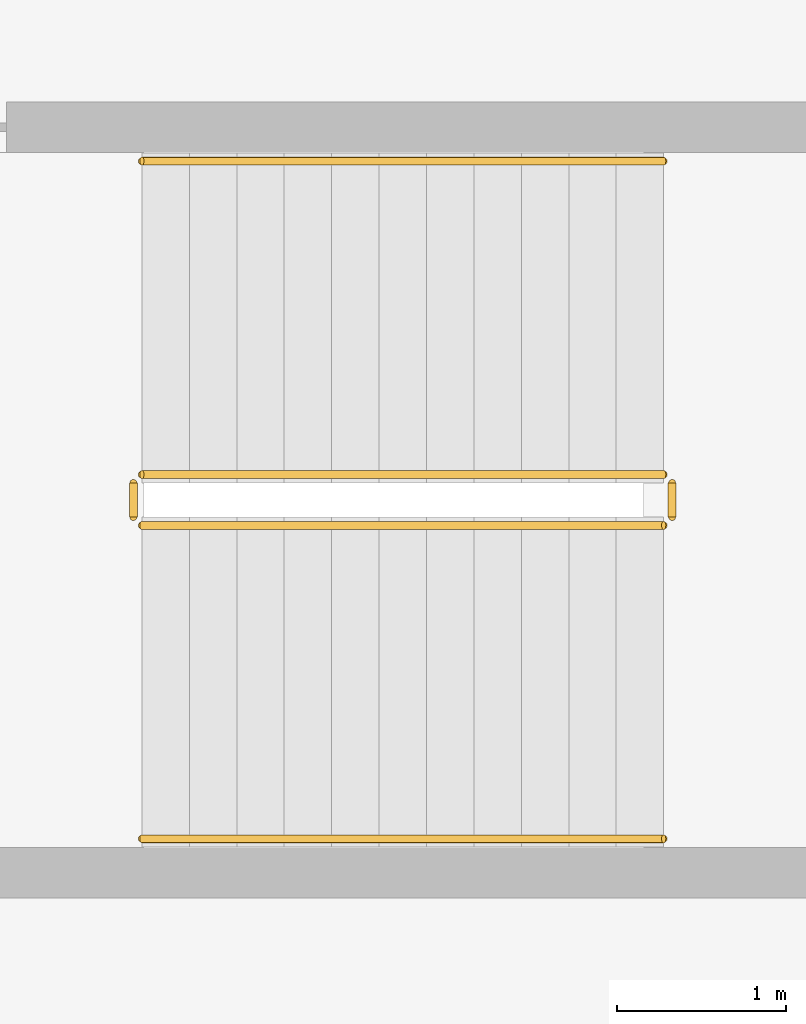
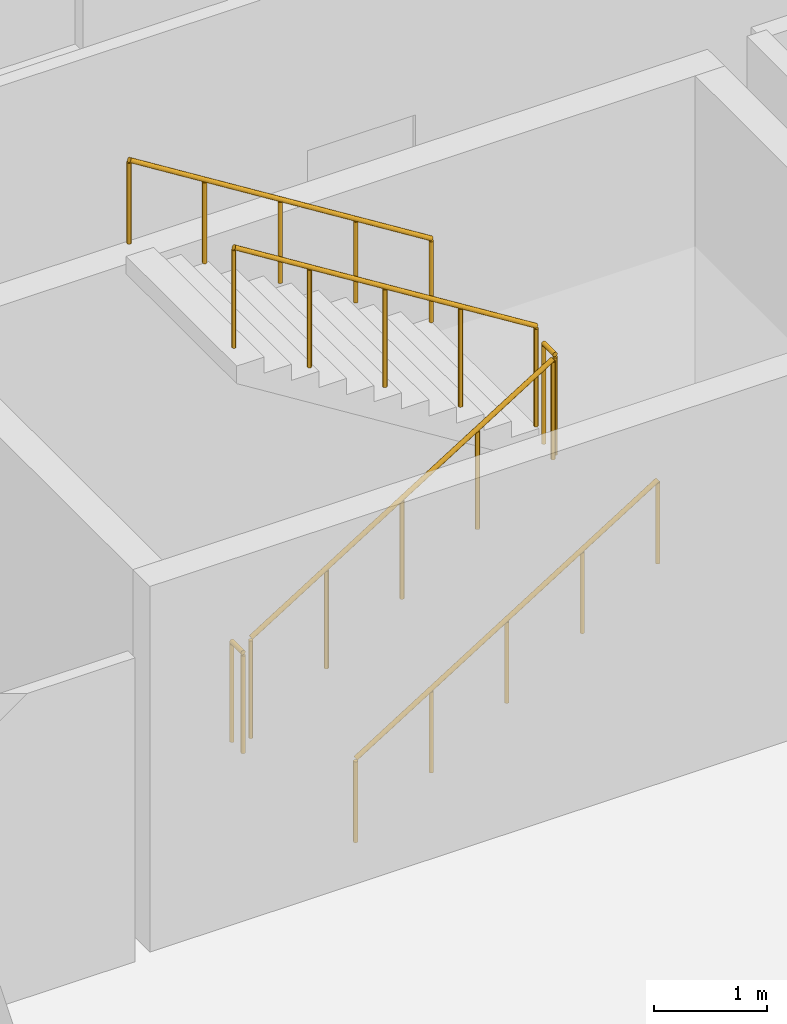
# One storey, part 179 of 182: 6 railings.
"""IFC4 building model written with IfcOpenShell, lengths in metres."""

from ifc_helpers import new_model, si_unit, direction, frame, origin, origin_2d, place, context, subcontext, project, spatial, circle, extrude, material, layer, layer_set, type_object, element, save


model = new_model("IFC4")

# Units and contexts
model_context = context("Model", 3, precision=1e-05, world=origin(), true_north=direction((0.0, 1.0)))
body_context = subcontext(model_context, "Body", "Model", "MODEL_VIEW")
ifc_project = project(units=[si_unit("LENGTHUNIT", "METRE"), si_unit("AREAUNIT", "SQUARE_METRE"), si_unit("VOLUMEUNIT", "CUBIC_METRE"), si_unit("PLANEANGLEUNIT", "RADIAN"), si_unit("MASSUNIT", "GRAM", prefix="KILO")], contexts=[model_context])

# Site, building, storey
site_placement = place(None, origin())
site = spatial("IfcSite", under=ifc_project, at=site_placement, CompositionType="ELEMENT")
building_placement = place(site_placement, origin())
building = spatial("IfcBuilding", under=site, at=building_placement, Name="Chiffa Square Polytechnic", CompositionType="ELEMENT")
storey_placement = place(building_placement, frame((0.0, 0.0, 9.60009765625)))
storey = spatial("IfcBuildingStorey", under=building, at=storey_placement, Name="L02", CompositionType="ELEMENT", Elevation=9.60009765625)

# Railings
ifc_material = material(Name="Steel S355", Category="steel")
ifc_layer_1 = layer(ifc_material, 0.050048828125, Name="Steel S355")
ifc_layer_set_1 = layer_set([ifc_layer_1], Name="Steel S355")
railing_type_1 = type_object("IfcRailingType", Name="RL-STAIR-GUARD", PredefinedType="GUARDRAIL", material=ifc_layer_set_1)
railing_1_placement = place(storey_placement, frame((124.199951171875, 19.64990234375, 0.1748046875)))
element("IfcRailing", 1, at=railing_1_placement, inside=storey, type_object=railing_type_1, Name="L02 ST-V1A stair guard 1", PredefinedType="GUARDRAIL", context=body_context, shape_type="SweptSolid", body=[
    extrude(circle(Radius=0.02392578125, at=origin_2d()), frame((0.0, 0.0, 1.076171875), z_axis=(0.847998304005, 0.0, 0.529998940003), x_axis=(0.0, 1.0, 0.0)), (0.0, 0.0, 1.0), 3.632080078125),
    extrude(circle(Radius=0.02099609375, at=origin_2d()), origin(), (0.0, 0.0, 1.0), 1.052001953125),
    extrude(circle(Radius=0.02099609375, at=origin_2d()), frame((0.77001953125, 0.0, 0.481201171875)), (0.0, 0.0, 1.0), 1.052001953125),
    extrude(circle(Radius=0.02099609375, at=origin_2d()), frame((1.5400390625, 0.0, 0.96240234375)), (0.0, 0.0, 1.0), 1.052001953125),
    extrude(circle(Radius=0.02099609375, at=origin_2d()), frame((2.31005859375, 0.0, 1.44384765625)), (0.0, 0.0, 1.0), 1.052001953125),
    extrude(circle(Radius=0.02099609375, at=origin_2d()), frame((3.080078125, 0.0, 1.925048828125)), (0.0, 0.0, 1.0), 1.052001953125),
])
railing_2_placement = place(storey_placement, frame((127.330078125, 19.699951171875, 2.099853515625)))
element("IfcRailing", 2, at=railing_2_placement, inside=storey, type_object=railing_type_1, Name="L02 ST-V1A stair guard 2", PredefinedType="GUARDRAIL", context=body_context, shape_type="SweptSolid", body=[
    extrude(circle(Radius=0.02392578125, at=origin_2d()), frame((0.0, 0.0, 1.076171875), z_axis=(0.0, 1.0, 0.0), x_axis=(-1.0, 0.0, 0.0)), (0.0, 0.0, 1.0), 0.199951171875),
    extrude(circle(Radius=0.02099609375, at=origin_2d()), origin(), (0.0, 0.0, 1.0), 1.052001953125),
    extrude(circle(Radius=0.02099609375, at=origin_2d()), frame((0.0, 0.199951171875, 0.0)), (0.0, 0.0, 1.0), 1.052001953125),
])
railing_3_placement = place(storey_placement, frame((127.280029296875, 19.949951171875, 2.27490234375)))
element("IfcRailing", 3, at=railing_3_placement, inside=storey, type_object=railing_type_1, Name="L02 ST-V1A stair guard 3", PredefinedType="GUARDRAIL", context=body_context, shape_type="SweptSolid", body=[
    extrude(circle(Radius=0.02392578125, at=origin_2d()), frame((0.0, 0.0, 1.076171875), z_axis=(-0.847998304005, 0.0, 0.529998940003), x_axis=(0.0, -1.0, 0.0)), (0.0, 0.0, 1.0), 3.632080078125),
    extrude(circle(Radius=0.02099609375, at=origin_2d()), origin(), (0.0, 0.0, 1.0), 1.052001953125),
    extrude(circle(Radius=0.02099609375, at=origin_2d()), frame((-0.77001953125, 0.0, 0.481201171875)), (0.0, 0.0, 1.0), 1.052001953125),
    extrude(circle(Radius=0.02099609375, at=origin_2d()), frame((-1.5400390625, 0.0, 0.96240234375)), (0.0, 0.0, 1.0), 1.052001953125),
    extrude(circle(Radius=0.02099609375, at=origin_2d()), frame((-2.31005859375, 0.0, 1.44384765625)), (0.0, 0.0, 1.0), 1.052001953125),
    extrude(circle(Radius=0.02099609375, at=origin_2d()), frame((-3.080078125, 0.0, 1.925048828125)), (0.0, 0.0, 1.0), 1.052001953125),
])
railing_4_placement = place(storey_placement, frame((124.14990234375, 19.699951171875, 0.0)))
element("IfcRailing", 4, at=railing_4_placement, inside=storey, type_object=railing_type_1, Name="L02 ST-V1A stair guard 4", PredefinedType="GUARDRAIL", context=body_context, shape_type="SweptSolid", body=[
    extrude(circle(Radius=0.02392578125, at=origin_2d()), frame((0.0, 0.0, 1.076171875), z_axis=(0.0, 1.0, 0.0), x_axis=(-1.0, 0.0, 0.0)), (0.0, 0.0, 1.0), 0.199951171875),
    extrude(circle(Radius=0.02099609375, at=origin_2d()), origin(), (0.0, 0.0, 1.0), 1.052001953125),
    extrude(circle(Radius=0.02099609375, at=origin_2d()), frame((0.0, 0.199951171875, 0.0)), (0.0, 0.0, 1.0), 1.052001953125),
])
ifc_layer_2 = layer(ifc_material, 0.044921875, Name="Steel S355")
ifc_layer_set_2 = layer_set([ifc_layer_2], Name="Steel S355")
railing_type_2 = type_object("IfcRailingType", Name="RL-STAIR-HAND", PredefinedType="HANDRAIL", material=ifc_layer_set_2)
railing_5_placement = place(storey_placement, frame((124.199951171875, 17.800048828125, 0.1748046875)))
element("IfcRailing", 5, at=railing_5_placement, inside=storey, type_object=railing_type_2, Name="L02 ST-V1A stair handrail 1", PredefinedType="HANDRAIL", context=body_context, shape_type="SweptSolid", body=[
    extrude(circle(Radius=0.02392578125, at=origin_2d()), frame((0.0, 0.0, 0.89599609375), z_axis=(0.847998304005, 0.0, 0.529998940003), x_axis=(0.0, 1.0, 0.0)), (0.0, 0.0, 1.0), 3.632080078125),
    extrude(circle(Radius=0.02099609375, at=origin_2d()), origin(), (0.0, 0.0, 1.0), 0.871826171875),
    extrude(circle(Radius=0.02099609375, at=origin_2d()), frame((0.77001953125, 0.0, 0.481201171875)), (0.0, 0.0, 1.0), 0.871826171875),
    extrude(circle(Radius=0.02099609375, at=origin_2d()), frame((1.5400390625, 0.0, 0.96240234375)), (0.0, 0.0, 1.0), 0.871826171875),
    extrude(circle(Radius=0.02099609375, at=origin_2d()), frame((2.31005859375, 0.0, 1.44384765625)), (0.0, 0.0, 1.0), 0.871826171875),
    extrude(circle(Radius=0.02099609375, at=origin_2d()), frame((3.080078125, 0.0, 1.925048828125)), (0.0, 0.0, 1.0), 0.871826171875),
])
railing_6_placement = place(storey_placement, frame((127.280029296875, 21.800048828125, 2.27490234375)))
element("IfcRailing", 6, at=railing_6_placement, inside=storey, type_object=railing_type_2, Name="L02 ST-V1A stair handrail 2", PredefinedType="HANDRAIL", context=body_context, shape_type="SweptSolid", body=[
    extrude(circle(Radius=0.02392578125, at=origin_2d()), frame((0.0, 0.0, 0.89599609375), z_axis=(-0.847998304005, 0.0, 0.529998940003), x_axis=(0.0, -1.0, 0.0)), (0.0, 0.0, 1.0), 3.632080078125),
    extrude(circle(Radius=0.02099609375, at=origin_2d()), origin(), (0.0, 0.0, 1.0), 0.871826171875),
    extrude(circle(Radius=0.02099609375, at=origin_2d()), frame((-0.77001953125, 0.0, 0.481201171875)), (0.0, 0.0, 1.0), 0.871826171875),
    extrude(circle(Radius=0.02099609375, at=origin_2d()), frame((-1.5400390625, 0.0, 0.96240234375)), (0.0, 0.0, 1.0), 0.871826171875),
    extrude(circle(Radius=0.02099609375, at=origin_2d()), frame((-2.31005859375, 0.0, 1.44384765625)), (0.0, 0.0, 1.0), 0.871826171875),
    extrude(circle(Radius=0.02099609375, at=origin_2d()), frame((-3.080078125, 0.0, 1.925048828125)), (0.0, 0.0, 1.0), 0.871826171875),
])

save(model, "model.ifc")
